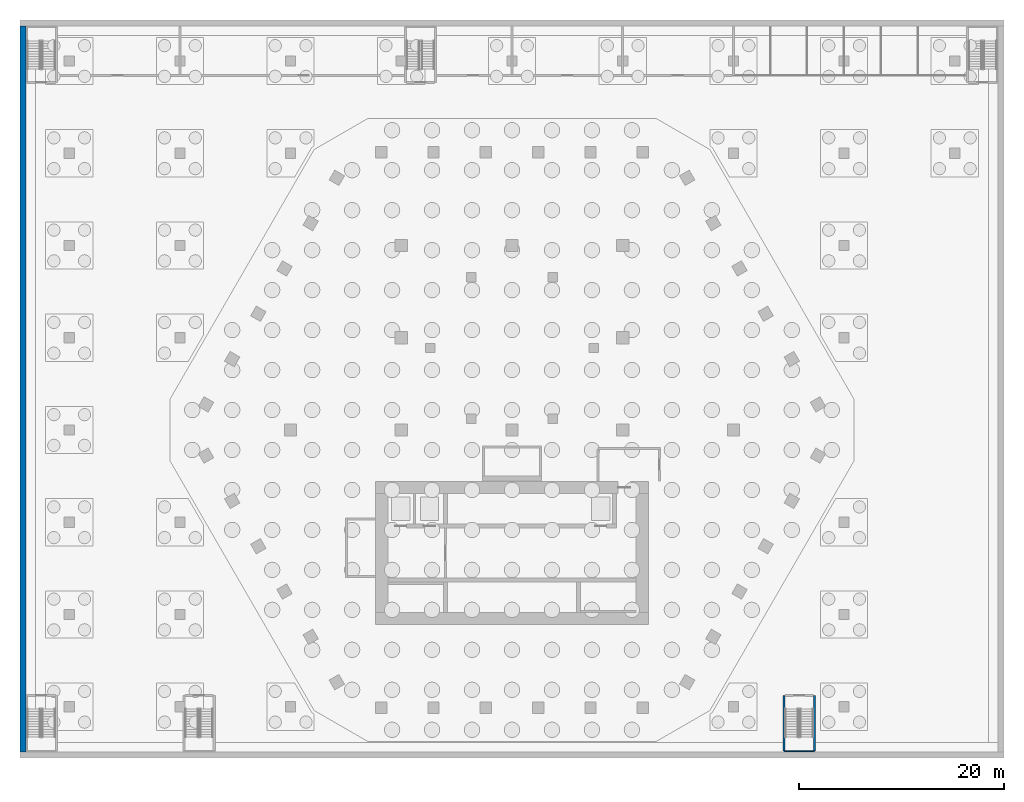
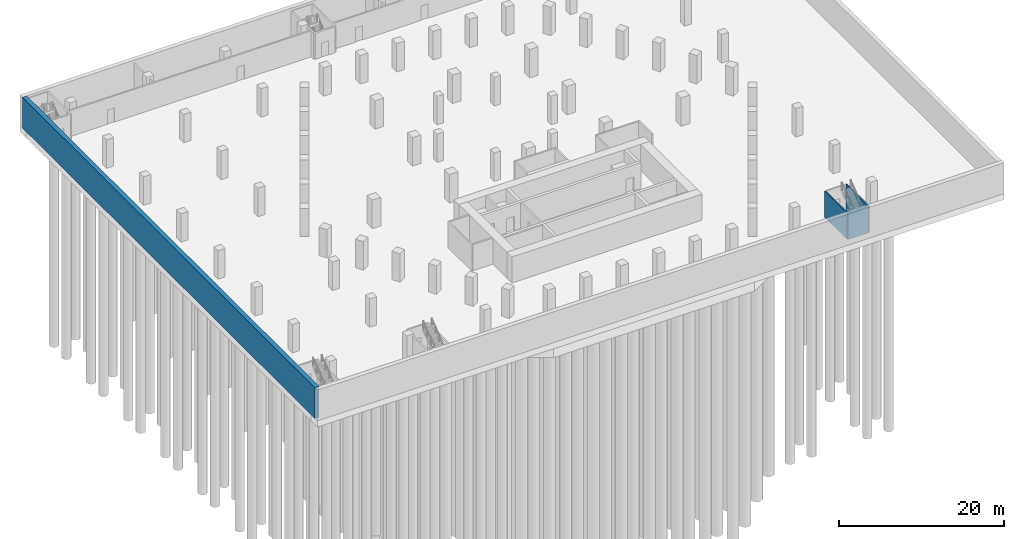
# One storey, part 7 of 21: 4 walls.
"""IFC4 building model written with IfcOpenShell, lengths in metres."""

from ifc_helpers import new_model, si_unit, direction, frame, frame_2d, origin, place, context, subcontext, project, spatial, rectangle, extrude, material, layer, layer_set, type_object, element, save


model = new_model("IFC4")

# Units and contexts
model_context = context("Model", 3, precision=1e-05, world=origin(), true_north=direction((0.0, 1.0)))
body_context = subcontext(model_context, "Body", "Model", "MODEL_VIEW")
ifc_project = project(units=[si_unit("LENGTHUNIT", "METRE"), si_unit("AREAUNIT", "SQUARE_METRE"), si_unit("VOLUMEUNIT", "CUBIC_METRE"), si_unit("PLANEANGLEUNIT", "RADIAN"), si_unit("MASSUNIT", "GRAM", prefix="KILO")], contexts=[model_context])

# Site, building, storey
site_placement = place(None, origin())
site = spatial("IfcSite", under=ifc_project, at=site_placement, CompositionType="ELEMENT")
building_placement = place(site_placement, origin())
building = spatial("IfcBuilding", under=site, at=building_placement, Name="Beryl Residences", CompositionType="ELEMENT")
storey_placement = place(building_placement, frame((0.0, 0.0, -8.39990234375)))
storey = spatial("IfcBuildingStorey", under=building, at=storey_placement, Name="B2", CompositionType="ELEMENT", Elevation=-8.39990234375)

# Walls
ifc_material_1 = material(Name="Concrete C40/50", Category="concrete")
ifc_layer_1 = layer(ifc_material_1, 0.199951171875)
ifc_layer_set_1 = layer_set([ifc_layer_1], Name="PT5 stair enclosure wall 200 mm reinforced concrete C40/50")
wall_type_1 = type_object("IfcWallType", Name="PT5 stair enclosure wall 200 mm reinforced concrete C40/50", PredefinedType="SOLIDWALL", material=ifc_layer_set_1)
for number, where, z_axis, x_axis, name in (
    (1, (26.550048828125, -31.300048828125, 0.0), (0.0, 0.0, 1.0), (0.0, 1.0, 0.0), "Wall PT5 B2 013"),
    (2, (29.5, -31.300048828125, 0.0), (0.0, 0.0, 1.0), (0.0, 1.0, 0.0), "Wall PT5 B2 014"),
):
    element("IfcWall", number, at=place(storey_placement, frame(where, z_axis=z_axis, x_axis=x_axis)), inside=storey, type_object=wall_type_1, Name=name, PredefinedType="SOLIDWALL", context=body_context, shape_type="SweptSolid", body=[
        extrude(rectangle(XDim=5.400146484375, YDim=0.199951171875, at=frame_2d((2.7001953125, 0.0))), origin(), (0.0, 0.0, 1.0), 3.849853515625),
    ])
ifc_material_2 = material(Name="Concrete C40/50", Category="concrete")
ifc_layer_2 = layer(ifc_material_2, 0.10009765625)
ifc_layer_set_2 = layer_set([ifc_layer_2], Name="PT5-100 stair enclosure wall 100 mm")
wall_type_2 = type_object("IfcWallType", Name="PT5-100 stair enclosure wall 100 mm", PredefinedType="SOLIDWALL", material=ifc_layer_set_2)
wall_1_placement = place(storey_placement, frame((26.550048828125, -31.35009765625, 0.0), z_axis=(0.0, 0.0, 1.0), x_axis=(1.0, 0.0, 0.0)))
element("IfcWall", 3, at=wall_1_placement, inside=storey, type_object=wall_type_2, Name="Wall PT5-100 B2 009", PredefinedType="SOLIDWALL", context=body_context, shape_type="SweptSolid", body=[
    extrude(rectangle(XDim=2.949951171875, YDim=0.10009765625, at=frame_2d((1.47509765625, 0.0))), origin(), (0.0, 0.0, 1.0), 3.849853515625),
])
ifc_material_3 = material(Name="Concrete C50/60", Category="concrete")
ifc_layer_3 = layer(ifc_material_3, 0.60009765625)
ifc_layer_set_3 = layer_set([ifc_layer_3], Name="RW1 basement wall 600 mm C50/60")
wall_type_3 = type_object("IfcWallType", Name="RW1 basement wall 600 mm C50/60", PredefinedType="SOLIDWALL", material=ifc_layer_set_3)
wall_2_placement = place(storey_placement, frame((-47.699951171875, -31.39990234375, -0.35009765625), z_axis=(0.0, 0.0, 1.0), x_axis=(0.0, 1.0, 0.0)))
element("IfcWall", 4, at=wall_2_placement, inside=storey, type_object=wall_type_3, Name="RW1 B2 W", PredefinedType="SOLIDWALL", context=body_context, shape_type="SweptSolid", body=[
    extrude(rectangle(XDim=70.7998046875, YDim=0.60009765625, at=frame_2d((35.39990234375, 0.0))), origin(), (0.0, 0.0, 1.0), 4.550048828125),
])

save(model, "model.ifc")
